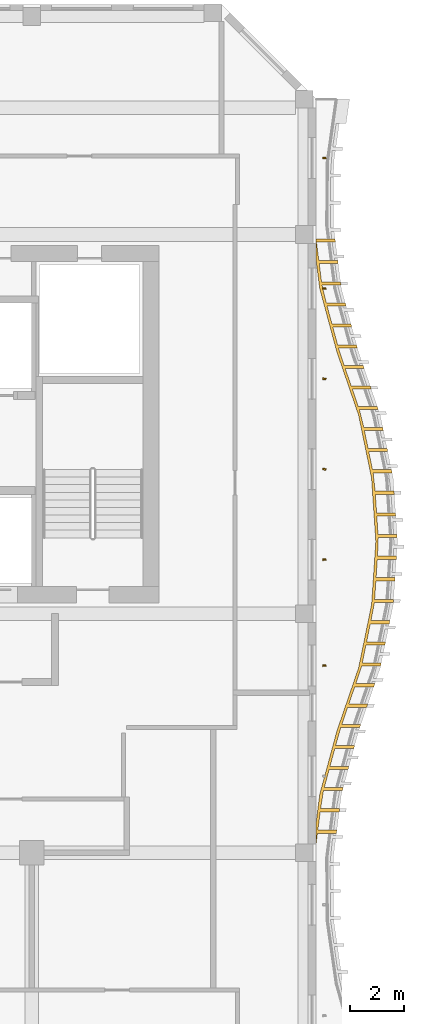
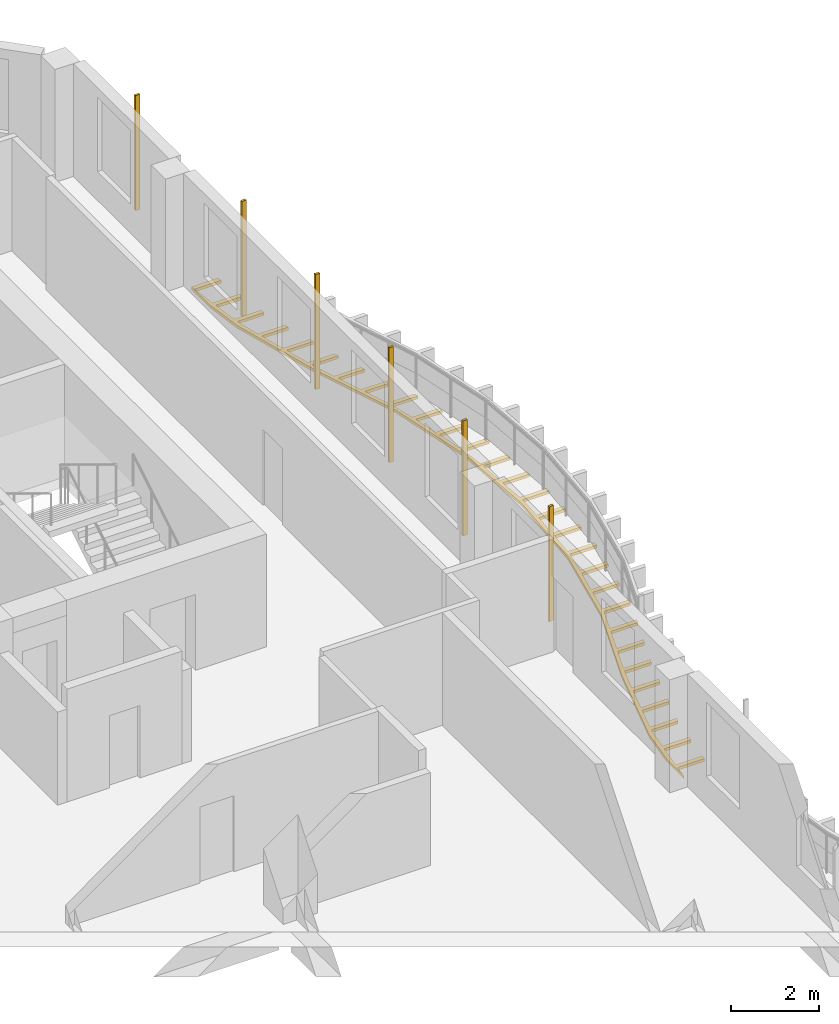
# One storey, part 18 of 18: 7 shading devices.
"""IFC4 building model written with IfcOpenShell, lengths in metres."""

from ifc_helpers import new_model, si_unit, direction, frame, origin, origin_2d, place, context, subcontext, project, spatial, polyline, rectangle, outline, extrude, source, transform, mapped, material, layer, layer_set, material_profile, profile_set, type_object, element, save


model = new_model("IFC4")

# Units and contexts
model_context = context("Model", 3, precision=1e-05, world=origin(), true_north=direction((0.0, 1.0)))
body_context = subcontext(model_context, "Body", "Model", "MODEL_VIEW")
ifc_project = project(units=[si_unit("LENGTHUNIT", "METRE"), si_unit("AREAUNIT", "SQUARE_METRE"), si_unit("VOLUMEUNIT", "CUBIC_METRE"), si_unit("PLANEANGLEUNIT", "RADIAN"), si_unit("MASSUNIT", "GRAM", prefix="KILO")], contexts=[model_context])

# Site, building, storey
site_placement = place(None, origin())
site = spatial("IfcSite", under=ifc_project, at=site_placement, CompositionType="ELEMENT")
building_placement = place(site_placement, origin())
building = spatial("IfcBuilding", under=site, at=building_placement, Name="Kilnfold Tower and Market Hall", CompositionType="ELEMENT")
storey_placement = place(building_placement, frame((0.0, 0.0, 280.60009765625)))
storey = spatial("IfcBuildingStorey", under=building, at=storey_placement, Name="L69", CompositionType="ELEMENT", Elevation=280.60009765625)

# Shading devices
ifc_material_1 = material(Name="Terracotta", Category="masonry")
ifc_material_profile = material_profile(ifc_material_1, rectangle(XDim=0.06005859375, YDim=0.1201171875, at=origin_2d()), Name="BAG 60x120")
ifc_profile_set = profile_set([ifc_material_profile], Name="Terracotta")
shading_device_type_1 = type_object("IfcShadingDeviceType", Name="BAGUETTE", PredefinedType="USERDEFINED", material=ifc_profile_set)
shared_shape_1 = source(origin(), body_context, "Body", "SweptSolid", [
    extrude(rectangle(XDim=0.06005859375, YDim=0.1201171875, at=origin_2d()), origin(), (0.0, 0.0, 1.0), 3.179931640625),
])
for number, where, z_axis, x_axis, name in (
    (1, (23.800048828125, 6.083251953125, 0.0), (0.0, 0.0, 1.0), (-0.108754102037, 0.994068682381, 0.0), "Terracotta baguette L69 E"),
    (2, (23.800048828125, 9.99365234375, 0.0), (0.0, 0.0, 1.0), (-0.065814139469, 0.997831899192, 0.0), "Terracotta baguette L69 E"),
    (3, (23.800048828125, 13.331298828125, 0.0), (0.0, 0.0, 1.0), (0.117717651589, 0.993047105884, 0.0), "Terracotta baguette L69 E"),
    (4, (23.800048828125, 16.668701171875, 0.0), (0.0, 0.0, 1.0), (0.082959528695, 0.996552917109, 0.0), "Terracotta baguette L69 E"),
    (5, (23.800048828125, 20.006103515625, 0.0), (0.0, 0.0, 1.0), (-0.105689620646, 0.994399167381, 0.0), "Terracotta baguette L69 E"),
    (6, (23.800048828125, 24.824951171875, 0.0), (0.0, 0.0, 1.0), (-0.01645771181, 0.999864562689, 0.0), "Terracotta baguette L69 E"),
):
    element("IfcShadingDevice", number, at=place(storey_placement, frame(where, z_axis=z_axis, x_axis=x_axis)), inside=storey, type_object=shading_device_type_1, Name=name, ObjectType="BAGUETTE", PredefinedType="USERDEFINED", context=body_context, shape_type="MappedRepresentation", body=[
        mapped(shared_shape_1, transform((0.0, 0.0, 0.0))),
    ])
ifc_material_2 = material(Name="Bronze anodised aluminium", Category="aluminium")
ifc_layer = layer(ifc_material_2, 0.080078125)
ifc_layer_set = layer_set([ifc_layer], Name="Bronze anodised aluminium")
shading_device_type_2 = type_object("IfcShadingDeviceType", Name="BRONZE SLAT SOFFIT 80", PredefinedType="USERDEFINED", material=ifc_layer_set)
shared_shape_2 = source(origin(), body_context, "Body", "SweptSolid", [
    extrude(outline(polyline([(23.630615234375, 1.333251953125), (24.262939453125, 3.666748046875), (25.064453125, 6.0), (25.543701171875, 8.333251953125), (25.699951171875, 10.666748046875), (25.54248046875, 13.0), (25.06201171875, 15.333251953125), (24.260009765625, 17.666748046875), (23.62890625, 20.0), (23.5, 21.009521484375), (23.5, 21.837646484375), (24.194091796875, 21.837646484375), (24.20947265625, 21.718505859375), (23.509521484375, 21.718505859375), (23.595703125, 21.044189453125), (24.295654296875, 21.044189453125), (24.310791015625, 20.925048828125), (23.61083984375, 20.925048828125), (23.697021484375, 20.25048828125), (24.39697265625, 20.25048828125), (24.412109375, 20.131591796875), (23.712158203125, 20.131591796875), (23.871826171875, 19.471435546875), (24.572021484375, 19.471435546875), (24.603271484375, 19.355712890625), (23.9033203125, 19.355712890625), (24.080810546875, 18.69921875), (24.78076171875, 18.69921875), (24.81201171875, 18.58349609375), (24.112060546875, 18.58349609375), (24.28955078125, 17.927001953125), (24.989501953125, 17.927001953125), (25.020751953125, 17.811279296875), (24.32080078125, 17.811279296875), (24.5322265625, 17.165283203125), (25.232421875, 17.165283203125), (25.271240234375, 17.0517578125), (24.5712890625, 17.0517578125), (24.79248046875, 16.40869140625), (25.492431640625, 16.40869140625), (25.531494140625, 16.295166015625), (24.831298828125, 16.295166015625), (25.052490234375, 15.652099609375), (25.75244140625, 15.652099609375), (25.79150390625, 15.53857421875), (25.091552734375, 15.53857421875), (25.25537109375, 14.8798828125), (25.955322265625, 14.8798828125), (25.9794921875, 14.762451171875), (25.279541015625, 14.762451171875), (25.416748046875, 14.09619140625), (26.11669921875, 14.09619140625), (26.140869140625, 13.978759765625), (25.44091796875, 13.978759765625), (25.577880859375, 13.312744140625), (26.278076171875, 13.312744140625), (26.30224609375, 13.1953125), (25.602294921875, 13.1953125), (25.6748046875, 12.5205078125), (26.374755859375, 12.5205078125), (26.3828125, 12.400634765625), (25.682861328125, 12.400634765625), (25.728759765625, 11.72216796875), (26.4287109375, 11.72216796875), (26.436767578125, 11.6025390625), (25.73681640625, 11.6025390625), (25.78271484375, 10.924072265625), (26.482666015625, 10.924072265625), (26.49072265625, 10.80419921875), (25.790771484375, 10.80419921875), (25.763671875, 10.1259765625), (26.463623046875, 10.1259765625), (26.455810546875, 10.006103515625), (25.755615234375, 10.006103515625), (25.710205078125, 9.32763671875), (26.41015625, 9.32763671875), (26.402099609375, 9.2080078125), (25.7021484375, 9.2080078125), (25.65673828125, 8.529296875), (26.356689453125, 8.529296875), (26.3486328125, 8.40966796875), (25.648681640625, 8.40966796875), (25.522216796875, 7.7421875), (26.22216796875, 7.7421875), (26.197998046875, 7.624755859375), (25.498046875, 7.624755859375), (25.361328125, 6.95849609375), (26.061279296875, 6.95849609375), (26.037109375, 6.841064453125), (25.337158203125, 6.841064453125), (25.200439453125, 6.1748046875), (25.900390625, 6.1748046875), (25.876220703125, 6.057373046875), (25.17626953125, 6.057373046875), (24.962646484375, 5.412353515625), (25.66259765625, 5.412353515625), (25.62353515625, 5.298828125), (24.923583984375, 5.298828125), (24.70263671875, 4.65576171875), (25.402587890625, 4.65576171875), (25.36376953125, 4.542236328125), (24.663818359375, 4.542236328125), (24.442626953125, 3.899169921875), (25.142578125, 3.899169921875), (25.103759765625, 3.78564453125), (24.40380859375, 3.78564453125), (24.218017578125, 3.131591796875), (24.91796875, 3.131591796875), (24.88671875, 3.015869140625), (24.1865234375, 3.015869140625), (24.0087890625, 2.359619140625), (24.708740234375, 2.359619140625), (24.677490234375, 2.24365234375), (23.977294921875, 2.24365234375), (23.799560546875, 1.58740234375), (24.49951171875, 1.58740234375), (24.46826171875, 1.471435546875), (23.768310546875, 1.471435546875), (23.662353515625, 0.80078125), (24.3623046875, 0.80078125), (24.34716796875, 0.681884765625), (23.647216796875, 0.681884765625), (23.560546875, 0.00732421875), (24.260498046875, 0.00732421875), (24.245361328125, -0.111572265625), (23.54541015625, -0.111572265625), (23.5, -0.465087890625), (23.5, 0.314453125), (23.630615234375, 1.333251953125)])), origin(), (0.0, 0.0, 1.0), 0.079833984375),
])
shading_device_placement = place(storey_placement, frame((0.0, 0.0, -0.300048828125)))
element("IfcShadingDevice", 7, at=shading_device_placement, inside=storey, type_object=shading_device_type_2, Name="Balcony soffit slats L69", ObjectType="SLAT", PredefinedType="USERDEFINED", context=body_context, shape_type="MappedRepresentation", body=[
    mapped(shared_shape_2, transform((0.0, 0.0, 0.0))),
])

save(model, "model.ifc")
